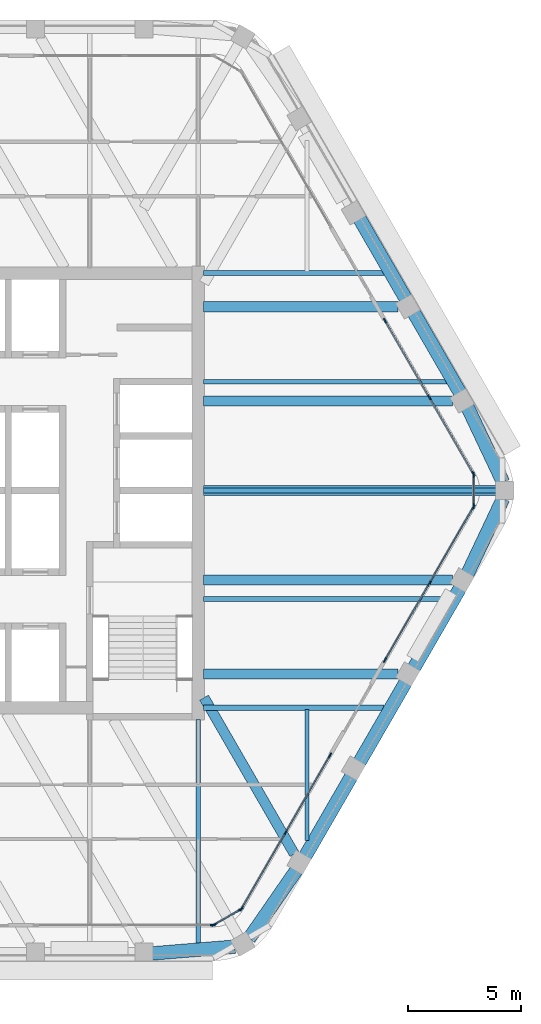
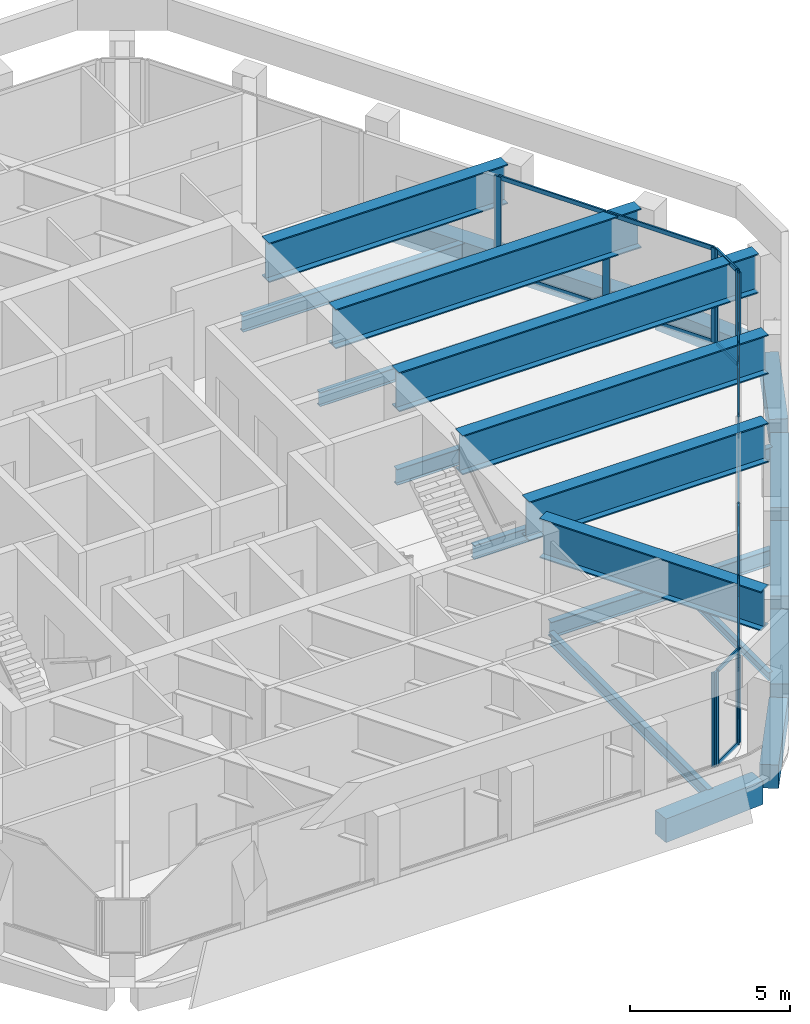
# One storey, part 4 of 14: 30 members, 22 beams, 6 elements without a shape of their own.
"""IFC4 building model written with IfcOpenShell, lengths in metres."""

from ifc_helpers import new_model, si_unit, direction, frame, origin, origin_2d, place, context, subcontext, project, spatial, rectangle, i_section, extrude, material, material_profile, profile_set, type_object, element, aggregate, save


model = new_model("IFC4")

# Units and contexts
model_context = context("Model", 3, precision=1e-05, world=origin(), true_north=direction((0.0, 1.0)))
body_context = subcontext(model_context, "Body", "Model", "MODEL_VIEW")
ifc_project = project(units=[si_unit("LENGTHUNIT", "METRE"), si_unit("AREAUNIT", "SQUARE_METRE"), si_unit("VOLUMEUNIT", "CUBIC_METRE"), si_unit("PLANEANGLEUNIT", "RADIAN"), si_unit("MASSUNIT", "GRAM", prefix="KILO")], contexts=[model_context])

# Site, building, storey
site_placement = place(None, origin())
site = spatial("IfcSite", under=ifc_project, at=site_placement, CompositionType="ELEMENT")
building_placement = place(site_placement, origin())
building = spatial("IfcBuilding", under=site, at=building_placement, Name="Kolab Exchange Tower", CompositionType="ELEMENT")
storey_placement = place(building_placement, frame((0.0, 0.0, 293.0)))
storey = spatial("IfcBuildingStorey", under=building, at=storey_placement, Name="L66", CompositionType="ELEMENT", Elevation=293.0)

# Beams
ifc_material_1 = material(Name="Steel S355", Category="steel")
ifc_material_profile_1 = material_profile(ifc_material_1, i_section(OverallWidth=0.1650390625, OverallDepth=0.31005859375, WebThickness=0.005859375, FlangeThickness=0.009765625, at=origin_2d()), Name="W310X39")
ifc_profile_set_1 = profile_set([ifc_material_profile_1], Name="Steel S355")
beam_type_1 = type_object("IfcBeamType", Name="FLOOR BEAM W310X39", PredefinedType="BEAM", material=ifc_profile_set_1)
beam_1_placement = place(storey_placement, frame((14.39990234375, -15.4677734375, -0.304931640625), z_axis=(0.0, 1.0, 0.0), x_axis=(-1.0, 0.0, 0.0)))
element("IfcBeam", 1, at=beam_1_placement, inside=storey, type_object=beam_type_1, Name="beam/L66/fr/018", PredefinedType="BEAM", context=body_context, shape_type="SweptSolid", body=[
    extrude(i_section(OverallWidth=0.1650390625, OverallDepth=0.31005859375, WebThickness=0.005859375, FlangeThickness=0.009765625, at=origin_2d()), origin(), (0.0, 0.0, 1.0), 5.793701171875),
])
ifc_material_profile_2 = material_profile(ifc_material_1, i_section(OverallWidth=0.18994140625, OverallDepth=0.45703125, WebThickness=0.009033203125, FlangeThickness=0.014404296875, at=origin_2d()), Name="W460X74")
ifc_profile_set_2 = profile_set([ifc_material_profile_2], Name="Steel S355")
beam_type_2 = type_object("IfcBeamType", Name="FLOOR BEAM W460X74", PredefinedType="BEAM", material=ifc_profile_set_2)
beam_2_placement = place(storey_placement, frame((9.60009765625, -20.027099609375, -0.37841796875), z_axis=(0.0, 1.0, 0.0), x_axis=(-1.0, 0.0, 0.0)))
element("IfcBeam", 2, at=beam_2_placement, inside=storey, type_object=beam_type_2, Name="beam/L66/fr/013", PredefinedType="BEAM", context=body_context, shape_type="SweptSolid", body=[
    extrude(i_section(OverallWidth=0.18994140625, OverallDepth=0.45703125, WebThickness=0.009033203125, FlangeThickness=0.014404296875, at=origin_2d()), origin(), (0.0, 0.0, 1.0), 9.9169921875),
])
ifc_material_profile_3 = material_profile(ifc_material_1, i_section(OverallWidth=0.208984375, OverallDepth=0.532958984375, WebThickness=0.01025390625, FlangeThickness=0.015625, at=origin_2d()), Name="W530X92")
ifc_profile_set_3 = profile_set([ifc_material_profile_3], Name="Steel S355")
beam_type_3 = type_object("IfcBeamType", Name="FLOOR BEAM W530X92", PredefinedType="BEAM", material=ifc_profile_set_3)
for number, where, z_axis, x_axis, name in (
    (3, (9.8349609375, -4.800048828125, -0.41650390625), (1.0, 0.0, 0.0), (0.0, 1.0, 0.0), "beam/L66/fr/015"),
    (4, (9.8349609375, 4.800048828125, -0.41650390625), (1.0, 0.0, 0.0), (0.0, 1.0, 0.0), "beam/L66/fr/017"),
):
    element("IfcBeam", number, at=place(storey_placement, frame(where, z_axis=z_axis, x_axis=x_axis)), inside=storey, type_object=beam_type_3, Name=name, PredefinedType="BEAM", context=body_context, shape_type="SweptSolid", body=[
        extrude(i_section(OverallWidth=0.208984375, OverallDepth=0.532958984375, WebThickness=0.01025390625, FlangeThickness=0.015625, at=origin_2d()), origin(), (0.0, 0.0, 1.0), 10.740966796875),
    ])
ifc_material_profile_4 = material_profile(ifc_material_1, i_section(OverallWidth=0.22802734375, OverallDepth=0.60791015625, WebThickness=0.01123046875, FlangeThickness=0.017333984375, at=origin_2d()), Name="W610X113")
ifc_profile_set_4 = profile_set([ifc_material_profile_4], Name="Steel S355")
beam_type_4 = type_object("IfcBeamType", Name="FLOOR BEAM W610X113", PredefinedType="BEAM", material=ifc_profile_set_4)
beam_3_placement = place(storey_placement, frame((9.8349609375, 0.0, -0.4541015625), z_axis=(1.0, 0.0, 0.0), x_axis=(0.0, 1.0, 0.0)))
element("IfcBeam", 5, at=beam_3_placement, inside=storey, type_object=beam_type_4, Name="beam/L66/fr/016", PredefinedType="BEAM", context=body_context, shape_type="SweptSolid", body=[
    extrude(i_section(OverallWidth=0.22802734375, OverallDepth=0.60791015625, WebThickness=0.01123046875, FlangeThickness=0.017333984375, at=origin_2d()), origin(), (0.0, 0.0, 1.0), 12.94091796875),
])
ifc_material_profile_5 = material_profile(ifc_material_1, i_section(OverallWidth=0.22802734375, OverallDepth=0.60791015625, WebThickness=0.01123046875, FlangeThickness=0.017333984375, at=origin_2d()), Name="W610X113")
ifc_profile_set_5 = profile_set([ifc_material_profile_5], Name="Steel S355")
beam_type_5 = type_object("IfcBeamType", Name="FLOOR GIRDER W610X113", PredefinedType="BEAM", material=ifc_profile_set_5)
for number, where, z_axis, x_axis, name in (
    (6, (9.8349609375, -9.60009765625, -0.4541015625), (1.0, 0.0, 0.0), (0.0, 1.0, 0.0), "beam/L66/gd/002"),
    (7, (9.8349609375, 9.60009765625, -0.4541015625), (1.0, 0.0, 0.0), (0.0, 1.0, 0.0), "beam/L66/gd/003"),
):
    element("IfcBeam", number, at=place(storey_placement, frame(where, z_axis=z_axis, x_axis=x_axis)), inside=storey, type_object=beam_type_5, Name=name, PredefinedType="BEAM", context=body_context, shape_type="SweptSolid", body=[
        extrude(i_section(OverallWidth=0.22802734375, OverallDepth=0.60791015625, WebThickness=0.01123046875, FlangeThickness=0.017333984375, at=origin_2d()), origin(), (0.0, 0.0, 1.0), 7.9697265625),
    ])
ifc_material_2 = material(Name="Concrete C50/60", Category="concrete")
ifc_material_profile_6 = material_profile(ifc_material_2, rectangle(XDim=0.60009765625, YDim=0.89990234375, at=origin_2d()), Name="RC600X900")
ifc_profile_set_6 = profile_set([ifc_material_profile_6], Name="Concrete C50/60")
beam_type_6 = type_object("IfcBeamType", Name="SPANDREL BEAM 600X900 C50/60", PredefinedType="BEAM", material=ifc_profile_set_6)
for number, where, z_axis, x_axis, name in (
    (8, (16.72021484375, 12.009033203125, -0.60009765625), (0.500000428765, -0.866025156237, 0.0), (0.866025156237, 0.500000428765, 0.0), "beam/L66/sp/F2-03"),
    (9, (19.1201171875, 7.85205078125, -0.60009765625), (0.500000428765, -0.866025156237, 0.0), (0.866025156237, 0.500000428765, 0.0), "beam/L66/sp/F2-04"),
):
    element("IfcBeam", number, at=place(storey_placement, frame(where, z_axis=z_axis, x_axis=x_axis)), inside=storey, type_object=beam_type_6, Name=name, PredefinedType="BEAM", context=body_context, shape_type="SweptSolid", body=[
        extrude(rectangle(XDim=0.60009765625, YDim=0.89990234375, at=origin_2d()), origin(), (0.0, 0.0, 1.0), 4.080078125),
    ])
for number, where, z_axis, x_axis, name in (
    (10, (21.49462890625, 3.68017578125, -0.60009765625), (0.427677251998, -0.903931506323, 0.0), (0.903931506323, 0.427677251998, 0.0), "beam/L66/sp/F2-05"),
    (11, (23.063720703125, -0.36376953125, -0.60009765625), (-0.427677251998, -0.903931506323, 0.0), (0.903931506323, -0.427677251998, 0.0), "beam/L66/sp/F3-01"),
):
    element("IfcBeam", number, at=place(storey_placement, frame(where, z_axis=z_axis, x_axis=x_axis)), inside=storey, type_object=beam_type_6, Name=name, PredefinedType="BEAM", context=body_context, shape_type="SweptSolid", body=[
        extrude(rectangle(XDim=0.60009765625, YDim=0.89990234375, at=origin_2d()), origin(), (0.0, 0.0, 1.0), 3.6689453125),
    ])
for number, where, z_axis, x_axis, name in (
    (12, (21.16015625, -4.318603515625, -0.60009765625), (-0.500000428765, -0.866025156237, 0.0), (0.866025156237, -0.500000428765, 0.0), "beam/L66/sp/F3-02"),
    (13, (18.76025390625, -8.4755859375, -0.60009765625), (-0.500000428765, -0.866025156237, 0.0), (0.866025156237, -0.500000428765, 0.0), "beam/L66/sp/F3-03"),
):
    element("IfcBeam", number, at=place(storey_placement, frame(where, z_axis=z_axis, x_axis=x_axis)), inside=storey, type_object=beam_type_6, Name=name, PredefinedType="BEAM", context=body_context, shape_type="SweptSolid", body=[
        extrude(rectangle(XDim=0.60009765625, YDim=0.89990234375, at=origin_2d()), origin(), (0.0, 0.0, 1.0), 4.080078125),
    ])
beam_4_placement = place(storey_placement, frame((16.360107421875, -12.632568359375, -0.60009765625), z_axis=(-0.499955548806, -0.866051066172, 0.0), x_axis=(0.866051066172, -0.499955548806, 0.0)))
element("IfcBeam", 14, at=beam_4_placement, inside=storey, type_object=beam_type_6, Name="beam/L66/sp/F3-04", PredefinedType="BEAM", context=body_context, shape_type="SweptSolid", body=[
    extrude(rectangle(XDim=0.60009765625, YDim=0.89990234375, at=origin_2d()), origin(), (0.0, 0.0, 1.0), 4.079833984375),
])
for number, where, z_axis, x_axis, name in (
    (15, (13.9345703125, -16.77490234375, -0.60009765625), (-0.569005808573, -0.822333502789, 0.0), (0.822333502789, -0.569005808573, 0.0), "beam/L66/sp/F3-05"),
    (16, (11.216796875, -20.15576171875, -0.60009765625), (-0.996666751878, -0.081580547323, 0.0), (0.081580547323, -0.996666751878, 0.0), "beam/L66/sp/F4-01"),
):
    element("IfcBeam", number, at=place(storey_placement, frame(where, z_axis=z_axis, x_axis=x_axis)), inside=storey, type_object=beam_type_6, Name=name, PredefinedType="BEAM", context=body_context, shape_type="SweptSolid", body=[
        extrude(rectangle(XDim=0.60009765625, YDim=0.89990234375, at=origin_2d()), origin(), (0.0, 0.0, 1.0), 3.6689453125),
    ])
ifc_material_profile_7 = material_profile(ifc_material_1, i_section(OverallWidth=0.449951171875, OverallDepth=1.5, WebThickness=0.028076171875, FlangeThickness=0.044921875, at=origin_2d()), Name="PG1500X450")
ifc_profile_set_7 = profile_set([ifc_material_profile_7], Name="Steel S355")
beam_type_7 = type_object("IfcBeamType", Name="TRANSFER GIRDER PG1500X450", PredefinedType="BEAM", material=ifc_profile_set_7)
beam_5_placement = place(storey_placement, frame((9.8349609375, 8.11376953125, 2.85009765625), z_axis=(1.0, 0.0, 0.0), x_axis=(0.0, 1.0, 0.0)))
element("IfcBeam", 17, at=beam_5_placement, inside=storey, type_object=beam_type_7, Name="beam/L66/cg/F2-03", PredefinedType="BEAM", context=body_context, shape_type="SweptSolid", body=[
    extrude(i_section(OverallWidth=0.449951171875, OverallDepth=1.5, WebThickness=0.028076171875, FlangeThickness=0.044921875, at=origin_2d()), origin(), (0.0, 0.0, 1.0), 8.5966796875),
])
beam_6_placement = place(storey_placement, frame((9.8349609375, 3.956787109375, 2.85009765625), z_axis=(1.0, 0.0, 0.0), x_axis=(0.0, 1.0, 0.0)))
element("IfcBeam", 18, at=beam_6_placement, inside=storey, type_object=beam_type_7, Name="beam/L66/cg/F2-04", PredefinedType="BEAM", context=body_context, shape_type="SweptSolid", body=[
    extrude(i_section(OverallWidth=0.449951171875, OverallDepth=1.5, WebThickness=0.028076171875, FlangeThickness=0.044921875, at=origin_2d()), origin(), (0.0, 0.0, 1.0), 10.996826171875),
])
beam_7_placement = place(storey_placement, frame((9.8349609375, 0.0, 2.85009765625), z_axis=(1.0, 0.0, 0.0), x_axis=(0.0, 1.0, 0.0)))
element("IfcBeam", 19, at=beam_7_placement, inside=storey, type_object=beam_type_7, Name="beam/L66/cg/F3-01", PredefinedType="BEAM", context=body_context, shape_type="SweptSolid", body=[
    extrude(i_section(OverallWidth=0.449951171875, OverallDepth=1.5, WebThickness=0.028076171875, FlangeThickness=0.044921875, at=origin_2d()), origin(), (0.0, 0.0, 1.0), 12.94091796875),
])
beam_8_placement = place(storey_placement, frame((9.8349609375, -3.956787109375, 2.85009765625), z_axis=(1.0, 0.0, 0.0), x_axis=(0.0, 1.0, 0.0)))
element("IfcBeam", 20, at=beam_8_placement, inside=storey, type_object=beam_type_7, Name="beam/L66/cg/F3-02", PredefinedType="BEAM", context=body_context, shape_type="SweptSolid", body=[
    extrude(i_section(OverallWidth=0.449951171875, OverallDepth=1.5, WebThickness=0.028076171875, FlangeThickness=0.044921875, at=origin_2d()), origin(), (0.0, 0.0, 1.0), 10.996826171875),
])
beam_9_placement = place(storey_placement, frame((9.8349609375, -8.11376953125, 2.85009765625), z_axis=(1.0, 0.0, 0.0), x_axis=(0.0, 1.0, 0.0)))
element("IfcBeam", 21, at=beam_9_placement, inside=storey, type_object=beam_type_7, Name="beam/L66/cg/F3-03", PredefinedType="BEAM", context=body_context, shape_type="SweptSolid", body=[
    extrude(i_section(OverallWidth=0.449951171875, OverallDepth=1.5, WebThickness=0.028076171875, FlangeThickness=0.044921875, at=origin_2d()), origin(), (0.0, 0.0, 1.0), 8.5966796875),
])
beam_10_placement = place(storey_placement, frame((9.85498046875, -9.155517578125, 2.85009765625), z_axis=(0.499994510044, -0.866028573389, 0.0), x_axis=(0.866028573389, 0.499994510044, 0.0)))
element("IfcBeam", 22, at=beam_10_placement, inside=storey, type_object=beam_type_7, Name="beam/L66/cg/F3-04", PredefinedType="BEAM", context=body_context, shape_type="SweptSolid", body=[
    extrude(i_section(OverallWidth=0.449951171875, OverallDepth=1.5, WebThickness=0.028076171875, FlangeThickness=0.044921875, at=origin_2d()), origin(), (0.0, 0.0, 1.0), 7.97509765625),
])

# Curtain wall, members
ifc_material_3 = material(Name="Aluminium EN AW-6063 T6", Category="aluminium")
curtain_wall_type = type_object("IfcCurtainWallType", Name="UNITISED HIGH ZONE CURTAIN WALL", PredefinedType="NOTDEFINED", material=ifc_material_3)
curtain_wall_1_placement = place(storey_placement, origin())
curtain_wall_1 = element("IfcCurtainWall", 23, at=curtain_wall_1_placement, inside=storey, type_object=curtain_wall_type, Name="cw/L66/F2-2", PredefinedType="NOTDEFINED")
ifc_material_profile_8 = material_profile(ifc_material_3, rectangle(XDim=0.06005859375, YDim=0.239990234375, at=origin_2d()), Name="RECT 60X240")
ifc_profile_set_8 = profile_set([ifc_material_profile_8], Name="Aluminium EN AW-6063 T6")
member_type_1 = type_object("IfcMemberType", Name="UNITISED HIGH ZONE MULLION 60 X 240", PredefinedType="MULLION", material=ifc_profile_set_8)
member_1_placement = place(storey_placement, frame((17.8466796875, 7.497802734375, 0.0), z_axis=(0.0, 0.0, 1.0), x_axis=(0.866025440524, 0.499999936366, 0.0)))
member_1 = element("IfcMember", 24, at=member_1_placement, type_object=member_type_1, Name="CW4 mullion 1", PredefinedType="MULLION", context=body_context, shape_type="SweptSolid", body=[
    extrude(rectangle(XDim=0.06005859375, YDim=0.239990234375, at=origin_2d()), origin(), (0.0, 0.0, 1.0), 3.60009765625),
])
member_2_placement = place(storey_placement, frame((19.798583984375, 4.116943359375, 0.0), z_axis=(0.0, 0.0, 1.0), x_axis=(0.866025440524, 0.499999936366, 0.0)))
member_2 = element("IfcMember", 25, at=member_2_placement, type_object=member_type_1, Name="CW4 mullion 2", PredefinedType="MULLION", context=body_context, shape_type="SweptSolid", body=[
    extrude(rectangle(XDim=0.06005859375, YDim=0.239990234375, at=origin_2d()), origin(), (0.0, 0.0, 1.0), 3.60009765625),
])
member_3_placement = place(storey_placement, frame((21.750732421875, 0.736083984375, 0.0), z_axis=(0.0, 0.0, 1.0), x_axis=(0.866025440524, 0.499999936366, 0.0)))
member_3 = element("IfcMember", 26, at=member_3_placement, type_object=member_type_1, Name="CW4 mullion 3", PredefinedType="MULLION", context=body_context, shape_type="SweptSolid", body=[
    extrude(rectangle(XDim=0.06005859375, YDim=0.239990234375, at=origin_2d()), origin(), (0.0, 0.0, 1.0), 3.60009765625),
])

curtain_wall_2_placement = place(storey_placement, origin())
curtain_wall_2 = element("IfcCurtainWall", 27, at=curtain_wall_2_placement, inside=storey, type_object=curtain_wall_type, Name="cw/L66/F3-1", PredefinedType="NOTDEFINED")
member_4_placement = place(storey_placement, frame((21.750732421875, -0.736083984375, 0.0), z_axis=(0.0, 0.0, 1.0), x_axis=(0.866025440524, -0.499999936366, 0.0)))
member_4 = element("IfcMember", 28, at=member_4_placement, type_object=member_type_1, Name="CW4 mullion 1", PredefinedType="MULLION", context=body_context, shape_type="SweptSolid", body=[
    extrude(rectangle(XDim=0.06005859375, YDim=0.239990234375, at=origin_2d()), origin(), (0.0, 0.0, 1.0), 3.60009765625),
])
member_5_placement = place(storey_placement, frame((19.798583984375, -4.116943359375, 0.0), z_axis=(0.0, 0.0, 1.0), x_axis=(0.866025440524, -0.499999936366, 0.0)))
member_5 = element("IfcMember", 29, at=member_5_placement, type_object=member_type_1, Name="CW4 mullion 2", PredefinedType="MULLION", context=body_context, shape_type="SweptSolid", body=[
    extrude(rectangle(XDim=0.06005859375, YDim=0.239990234375, at=origin_2d()), origin(), (0.0, 0.0, 1.0), 3.60009765625),
])
member_6_placement = place(storey_placement, frame((17.8466796875, -7.497802734375, 0.0), z_axis=(0.0, 0.0, 1.0), x_axis=(0.866025440524, -0.499999936366, 0.0)))
member_6 = element("IfcMember", 30, at=member_6_placement, type_object=member_type_1, Name="CW4 mullion 3", PredefinedType="MULLION", context=body_context, shape_type="SweptSolid", body=[
    extrude(rectangle(XDim=0.06005859375, YDim=0.239990234375, at=origin_2d()), origin(), (0.0, 0.0, 1.0), 3.60009765625),
])

curtain_wall_3_placement = place(storey_placement, origin())
curtain_wall_3 = element("IfcCurtainWall", 31, at=curtain_wall_3_placement, inside=storey, type_object=curtain_wall_type, Name="cw/L66/F3-2", PredefinedType="NOTDEFINED")
member_7_placement = place(storey_placement, frame((15.416748046875, -11.706787109375, 0.0), z_axis=(0.0, 0.0, 1.0), x_axis=(0.866025385493, -0.500000031681, 0.0)))
member_7 = element("IfcMember", 32, at=member_7_placement, type_object=member_type_1, Name="CW4 mullion 1", PredefinedType="MULLION", context=body_context, shape_type="SweptSolid", body=[
    extrude(rectangle(XDim=0.06005859375, YDim=0.239990234375, at=origin_2d()), origin(), (0.0, 0.0, 1.0), 3.60009765625),
])
member_8_placement = place(storey_placement, frame((13.464599609375, -15.087646484375, 0.0), z_axis=(0.0, 0.0, 1.0), x_axis=(0.866025385493, -0.500000031681, 0.0)))
member_8 = element("IfcMember", 33, at=member_8_placement, type_object=member_type_1, Name="CW4 mullion 2", PredefinedType="MULLION", context=body_context, shape_type="SweptSolid", body=[
    extrude(rectangle(XDim=0.06005859375, YDim=0.239990234375, at=origin_2d()), origin(), (0.0, 0.0, 1.0), 3.60009765625),
])
member_9_placement = place(storey_placement, frame((11.5126953125, -18.46875, 0.0), z_axis=(0.0, 0.0, 1.0), x_axis=(0.866025385493, -0.500000031681, 0.0)))
member_9 = element("IfcMember", 34, at=member_9_placement, type_object=member_type_1, Name="CW4 mullion 3", PredefinedType="MULLION", context=body_context, shape_type="SweptSolid", body=[
    extrude(rectangle(XDim=0.06005859375, YDim=0.239990234375, at=origin_2d()), origin(), (0.0, 0.0, 1.0), 3.60009765625),
])

# Curtain wall, member
curtain_wall_4_placement = place(storey_placement, origin())
curtain_wall_4 = element("IfcCurtainWall", 35, at=curtain_wall_4_placement, inside=storey, type_object=curtain_wall_type, Name="cw/L66/F4-1", PredefinedType="NOTDEFINED")
member_10_placement = place(storey_placement, frame((10.238037109375, -19.20458984375, 0.0), z_axis=(0.0, 0.0, 1.0), x_axis=(0.0, -1.0, 0.0)))
member_10 = element("IfcMember", 36, at=member_10_placement, type_object=member_type_1, Name="CW4 mullion 1", PredefinedType="MULLION", context=body_context, shape_type="SweptSolid", body=[
    extrude(rectangle(XDim=0.06005859375, YDim=0.239990234375, at=origin_2d()), origin(), (0.0, 0.0, 1.0), 3.60009765625),
])
aggregate(curtain_wall_4, [member_10])

# Curtain wall, members
curtain_wall_5_placement = place(storey_placement, origin())
curtain_wall_5 = element("IfcCurtainWall", 37, at=curtain_wall_5_placement, inside=storey, type_object=curtain_wall_type, Name="cw/L66/F2F3-corner", PredefinedType="NOTDEFINED")
member_11_placement = place(storey_placement, frame((21.765625, 0.679931640625, 0.0), z_axis=(0.0, 0.0, 1.0), x_axis=(1.0, 0.0, 0.0)))
member_11 = element("IfcMember", 38, at=member_11_placement, type_object=member_type_1, Name="CW4 mullion 1", PredefinedType="MULLION", context=body_context, shape_type="SweptSolid", body=[
    extrude(rectangle(XDim=0.06005859375, YDim=0.239990234375, at=origin_2d()), origin(), (0.0, 0.0, 1.0), 3.60009765625),
])
member_12_placement = place(storey_placement, frame((21.765625, -0.679931640625, 0.0), z_axis=(0.0, 0.0, 1.0), x_axis=(1.0, 0.0, 0.0)))
member_12 = element("IfcMember", 39, at=member_12_placement, type_object=member_type_1, Name="CW4 mullion 2", PredefinedType="MULLION", context=body_context, shape_type="SweptSolid", body=[
    extrude(rectangle(XDim=0.06005859375, YDim=0.239990234375, at=origin_2d()), origin(), (0.0, 0.0, 1.0), 3.60009765625),
])

curtain_wall_6_placement = place(storey_placement, origin())
curtain_wall_6 = element("IfcCurtainWall", 40, at=curtain_wall_6_placement, inside=storey, type_object=curtain_wall_type, Name="cw/L66/F3F4-corner", PredefinedType="NOTDEFINED")
member_13_placement = place(storey_placement, frame((11.4716796875, -18.509521484375, 0.0), z_axis=(0.0, 0.0, 1.0), x_axis=(0.50000002237, -0.866025390869, 0.0)))
member_13 = element("IfcMember", 41, at=member_13_placement, type_object=member_type_1, Name="CW4 mullion 1", PredefinedType="MULLION", context=body_context, shape_type="SweptSolid", body=[
    extrude(rectangle(XDim=0.06005859375, YDim=0.239990234375, at=origin_2d()), origin(), (0.0, 0.0, 1.0), 3.60009765625),
])
member_14_placement = place(storey_placement, frame((10.2939453125, -19.189697265625, 0.0), z_axis=(0.0, 0.0, 1.0), x_axis=(0.50000002237, -0.866025390869, 0.0)))
member_14 = element("IfcMember", 42, at=member_14_placement, type_object=member_type_1, Name="CW4 mullion 2", PredefinedType="MULLION", context=body_context, shape_type="SweptSolid", body=[
    extrude(rectangle(XDim=0.06005859375, YDim=0.239990234375, at=origin_2d()), origin(), (0.0, 0.0, 1.0), 3.60009765625),
])

# Member
ifc_material_profile_9 = material_profile(ifc_material_3, rectangle(XDim=0.06005859375, YDim=0.159912109375, at=origin_2d()), Name="RECT 60X160")
ifc_profile_set_9 = profile_set([ifc_material_profile_9], Name="Aluminium EN AW-6063 T6")
member_type_2 = type_object("IfcMemberType", Name="UNITISED HIGH ZONE TRANSOM 60 X 160", PredefinedType="USERDEFINED", material=ifc_profile_set_9)
member_15_placement = place(storey_placement, frame((17.861572265625, 7.471923828125, 0.030029296875), z_axis=(0.500011990396, -0.866018481016, 0.0), x_axis=(0.866018481016, 0.500011990396, 0.0)))
member_15 = element("IfcMember", 43, at=member_15_placement, type_object=member_type_2, Name="CW4 transom 1.1", ObjectType="TRANSOM", PredefinedType="USERDEFINED", context=body_context, shape_type="SweptSolid", body=[
    extrude(rectangle(XDim=0.06005859375, YDim=0.159912109375, at=origin_2d()), origin(), (0.0, 0.0, 1.0), 3.84423828125),
])

member_16_placement = place(storey_placement, frame((17.861572265625, 7.471923828125, 3.570068359375), z_axis=(0.500011990396, -0.866018481016, 0.0), x_axis=(0.866018481016, 0.500011990396, 0.0)))
member_16 = element("IfcMember", 44, at=member_16_placement, type_object=member_type_2, Name="CW4 transom 1.2", ObjectType="TRANSOM", PredefinedType="USERDEFINED", context=body_context, shape_type="SweptSolid", body=[
    extrude(rectangle(XDim=0.06005859375, YDim=0.159912109375, at=origin_2d()), origin(), (0.0, 0.0, 1.0), 3.84423828125),
])

member_17_placement = place(storey_placement, frame((19.813720703125, 4.0908203125, 0.030029296875), z_axis=(0.499991857942, -0.866030104553, 0.0), x_axis=(0.866030104553, 0.499991857942, 0.0)))
member_17 = element("IfcMember", 45, at=member_17_placement, type_object=member_type_2, Name="CW4 transom 2.1", ObjectType="TRANSOM", PredefinedType="USERDEFINED", context=body_context, shape_type="SweptSolid", body=[
    extrude(rectangle(XDim=0.06005859375, YDim=0.159912109375, at=origin_2d()), origin(), (0.0, 0.0, 1.0), 3.84375),
])

member_18_placement = place(storey_placement, frame((19.813720703125, 4.0908203125, 3.570068359375), z_axis=(0.499991857942, -0.866030104553, 0.0), x_axis=(0.866030104553, 0.499991857942, 0.0)))
member_18 = element("IfcMember", 46, at=member_18_placement, type_object=member_type_2, Name="CW4 transom 2.2", ObjectType="TRANSOM", PredefinedType="USERDEFINED", context=body_context, shape_type="SweptSolid", body=[
    extrude(rectangle(XDim=0.06005859375, YDim=0.159912109375, at=origin_2d()), origin(), (0.0, 0.0, 1.0), 3.84375),
])

aggregate(curtain_wall_1, [member_1, member_2, member_3, member_15, member_16, member_17, member_18])

member_19_placement = place(storey_placement, frame((21.735595703125, -0.761962890625, 0.030029296875), z_axis=(-0.499991857942, -0.866030104553, 0.0), x_axis=(0.866030104553, -0.499991857942, 0.0)))
member_19 = element("IfcMember", 47, at=member_19_placement, type_object=member_type_2, Name="CW4 transom 1.1", ObjectType="TRANSOM", PredefinedType="USERDEFINED", context=body_context, shape_type="SweptSolid", body=[
    extrude(rectangle(XDim=0.06005859375, YDim=0.159912109375, at=origin_2d()), origin(), (0.0, 0.0, 1.0), 3.84375),
])

member_20_placement = place(storey_placement, frame((21.735595703125, -0.761962890625, 3.570068359375), z_axis=(-0.499991857942, -0.866030104553, 0.0), x_axis=(0.866030104553, -0.499991857942, 0.0)))
member_20 = element("IfcMember", 48, at=member_20_placement, type_object=member_type_2, Name="CW4 transom 1.2", ObjectType="TRANSOM", PredefinedType="USERDEFINED", context=body_context, shape_type="SweptSolid", body=[
    extrude(rectangle(XDim=0.06005859375, YDim=0.159912109375, at=origin_2d()), origin(), (0.0, 0.0, 1.0), 3.84375),
])

member_21_placement = place(storey_placement, frame((19.78369140625, -4.142822265625, 0.030029296875), z_axis=(-0.500011990396, -0.866018481016, 0.0), x_axis=(0.866018481016, -0.500011990396, 0.0)))
member_21 = element("IfcMember", 49, at=member_21_placement, type_object=member_type_2, Name="CW4 transom 2.1", ObjectType="TRANSOM", PredefinedType="USERDEFINED", context=body_context, shape_type="SweptSolid", body=[
    extrude(rectangle(XDim=0.06005859375, YDim=0.159912109375, at=origin_2d()), origin(), (0.0, 0.0, 1.0), 3.84423828125),
])

member_22_placement = place(storey_placement, frame((19.78369140625, -4.142822265625, 3.570068359375), z_axis=(-0.500011990396, -0.866018481016, 0.0), x_axis=(0.866018481016, -0.500011990396, 0.0)))
member_22 = element("IfcMember", 50, at=member_22_placement, type_object=member_type_2, Name="CW4 transom 2.2", ObjectType="TRANSOM", PredefinedType="USERDEFINED", context=body_context, shape_type="SweptSolid", body=[
    extrude(rectangle(XDim=0.06005859375, YDim=0.159912109375, at=origin_2d()), origin(), (0.0, 0.0, 1.0), 3.84423828125),
])

aggregate(curtain_wall_2, [member_4, member_5, member_6, member_19, member_20, member_21, member_22])

member_23_placement = place(storey_placement, frame((15.401611328125, -11.732666015625, 0.030029296875), z_axis=(-0.499964356602, -0.866045981532, 0.0), x_axis=(0.866045981532, -0.499964356602, 0.0)))
member_23 = element("IfcMember", 51, at=member_23_placement, type_object=member_type_2, Name="CW4 transom 1.1", ObjectType="TRANSOM", PredefinedType="USERDEFINED", context=body_context, shape_type="SweptSolid", body=[
    extrude(rectangle(XDim=0.06005859375, YDim=0.159912109375, at=origin_2d()), origin(), (0.0, 0.0, 1.0), 3.843994140625),
])

member_24_placement = place(storey_placement, frame((15.401611328125, -11.732666015625, 3.570068359375), z_axis=(-0.499964356602, -0.866045981532, 0.0), x_axis=(0.866045981532, -0.499964356602, 0.0)))
member_24 = element("IfcMember", 52, at=member_24_placement, type_object=member_type_2, Name="CW4 transom 1.2", ObjectType="TRANSOM", PredefinedType="USERDEFINED", context=body_context, shape_type="SweptSolid", body=[
    extrude(rectangle(XDim=0.06005859375, YDim=0.159912109375, at=origin_2d()), origin(), (0.0, 0.0, 1.0), 3.843994140625),
])

member_25_placement = place(storey_placement, frame((13.44970703125, -15.11376953125, 0.030029296875), z_axis=(-0.500039492609, -0.866002601515, 0.0), x_axis=(0.866002601515, -0.500039492609, 0.0)))
member_25 = element("IfcMember", 53, at=member_25_placement, type_object=member_type_2, Name="CW4 transom 2.1", ObjectType="TRANSOM", PredefinedType="USERDEFINED", context=body_context, shape_type="SweptSolid", body=[
    extrude(rectangle(XDim=0.06005859375, YDim=0.159912109375, at=origin_2d()), origin(), (0.0, 0.0, 1.0), 3.843994140625),
])

member_26_placement = place(storey_placement, frame((13.44970703125, -15.11376953125, 3.570068359375), z_axis=(-0.500039492609, -0.866002601515, 0.0), x_axis=(0.866002601515, -0.500039492609, 0.0)))
member_26 = element("IfcMember", 54, at=member_26_placement, type_object=member_type_2, Name="CW4 transom 2.2", ObjectType="TRANSOM", PredefinedType="USERDEFINED", context=body_context, shape_type="SweptSolid", body=[
    extrude(rectangle(XDim=0.06005859375, YDim=0.159912109375, at=origin_2d()), origin(), (0.0, 0.0, 1.0), 3.843994140625),
])

aggregate(curtain_wall_3, [member_7, member_8, member_9, member_23, member_24, member_25, member_26])

member_27_placement = place(storey_placement, frame((21.765625, 0.64990234375, 0.030029296875), z_axis=(0.0, -1.0, 0.0), x_axis=(1.0, 0.0, 0.0)))
member_27 = element("IfcMember", 55, at=member_27_placement, type_object=member_type_2, Name="CW4 transom 1.1", ObjectType="TRANSOM", PredefinedType="USERDEFINED", context=body_context, shape_type="SweptSolid", body=[
    extrude(rectangle(XDim=0.06005859375, YDim=0.159912109375, at=origin_2d()), origin(), (0.0, 0.0, 1.0), 1.2998046875),
])

member_28_placement = place(storey_placement, frame((21.765625, 0.64990234375, 3.570068359375), z_axis=(0.0, -1.0, 0.0), x_axis=(1.0, 0.0, 0.0)))
member_28 = element("IfcMember", 56, at=member_28_placement, type_object=member_type_2, Name="CW4 transom 1.2", ObjectType="TRANSOM", PredefinedType="USERDEFINED", context=body_context, shape_type="SweptSolid", body=[
    extrude(rectangle(XDim=0.06005859375, YDim=0.159912109375, at=origin_2d()), origin(), (0.0, 0.0, 1.0), 1.2998046875),
])

aggregate(curtain_wall_5, [member_11, member_12, member_27, member_28])

member_29_placement = place(storey_placement, frame((11.44580078125, -18.524658203125, 0.030029296875), z_axis=(-0.866085525409, -0.49989585183, 0.0), x_axis=(0.49989585183, -0.866085525409, 0.0)))
member_29 = element("IfcMember", 57, at=member_29_placement, type_object=member_type_2, Name="CW4 transom 1.1", ObjectType="TRANSOM", PredefinedType="USERDEFINED", context=body_context, shape_type="SweptSolid", body=[
    extrude(rectangle(XDim=0.06005859375, YDim=0.159912109375, at=origin_2d()), origin(), (0.0, 0.0, 1.0), 1.300048828125),
])

member_30_placement = place(storey_placement, frame((11.44580078125, -18.524658203125, 3.570068359375), z_axis=(-0.866085525409, -0.49989585183, 0.0), x_axis=(0.49989585183, -0.866085525409, 0.0)))
member_30 = element("IfcMember", 58, at=member_30_placement, type_object=member_type_2, Name="CW4 transom 1.2", ObjectType="TRANSOM", PredefinedType="USERDEFINED", context=body_context, shape_type="SweptSolid", body=[
    extrude(rectangle(XDim=0.06005859375, YDim=0.159912109375, at=origin_2d()), origin(), (0.0, 0.0, 1.0), 1.300048828125),
])

aggregate(curtain_wall_6, [member_13, member_14, member_29, member_30])

save(model, "model.ifc")
